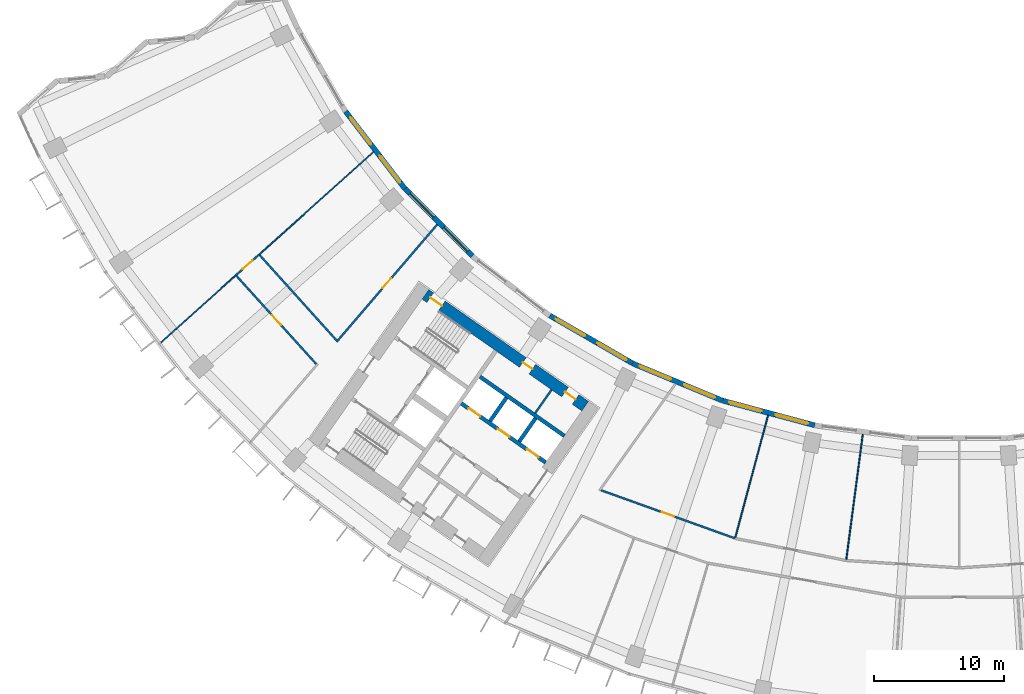
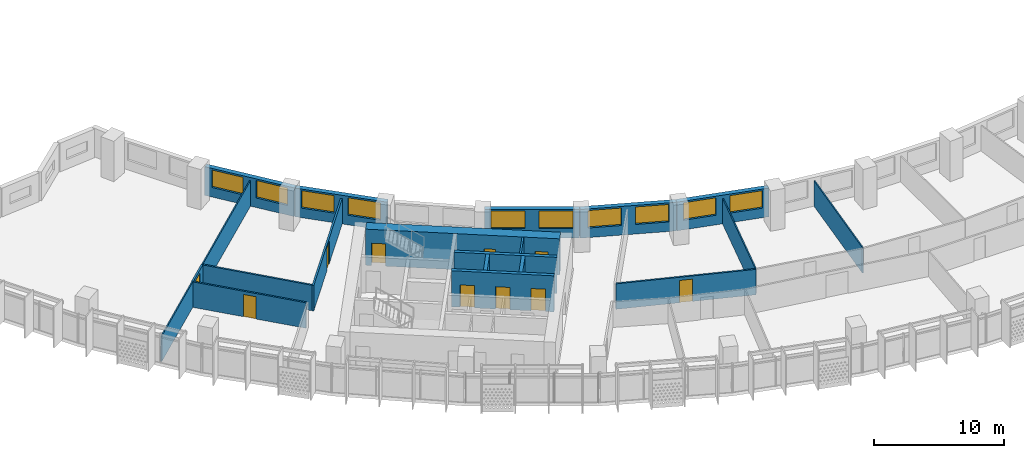
# One storey, part 4 of 28: 20 walls, 10 doors, 10 windows, 20 openings.
"""IFC4 building model written with IfcOpenShell, lengths in metres."""

from ifc_helpers import new_model, si_unit, direction, frame, frame_2d, origin, place, context, subcontext, project, spatial, rectangle, extrude, material, layer, layer_set, type_object, element, fill, save


model = new_model("IFC4")

# Units and contexts
model_context = context("Model", 3, precision=1e-05, world=origin(), true_north=direction((0.0, 1.0)))
body_context = subcontext(model_context, "Body", "Model", "MODEL_VIEW")
ifc_project = project(units=[si_unit("LENGTHUNIT", "METRE"), si_unit("AREAUNIT", "SQUARE_METRE"), si_unit("VOLUMEUNIT", "CUBIC_METRE"), si_unit("PLANEANGLEUNIT", "RADIAN"), si_unit("MASSUNIT", "GRAM", prefix="KILO")], contexts=[model_context])

# Site, building, storey
site_placement = place(None, origin())
site = spatial("IfcSite", under=ifc_project, at=site_placement, CompositionType="ELEMENT")
building_placement = place(site_placement, origin())
building = spatial("IfcBuilding", under=site, at=building_placement, Name="Qamariyya Broadcast Tower", CompositionType="ELEMENT")
storey_placement = place(building_placement, frame((0.0, 0.0, 140.5)))
storey = spatial("IfcBuildingStorey", under=building, at=storey_placement, Name="L32", CompositionType="ELEMENT", Elevation=140.5)

# Wall, openings, doors
ifc_material_1 = material(Name="Concrete C70/85", Category="concrete")
ifc_layer_1 = layer(ifc_material_1, 0.89990234375)
ifc_layer_set_1 = layer_set([ifc_layer_1], Name="Core wall 900 mm Concrete C70/85")
wall_type_1 = type_object("IfcWallType", Name="Core wall 900 mm Concrete C70/85", PredefinedType="SHEAR", material=ifc_layer_set_1)
wall_1_placement = place(storey_placement, frame((-28.8544921875, -54.32421875, 0.0), z_axis=(0.0, 0.0, 1.0), x_axis=(-0.819145767589, 0.573585400304, 0.0)))
wall_1 = element("IfcWall", 1, at=wall_1_placement, inside=storey, type_object=wall_type_1, Name="k-W-L32-WI", PredefinedType="SHEAR", context=body_context, shape_type="SweptSolid", body=[
    extrude(rectangle(XDim=15.04541015625, YDim=0.89990234375, at=frame_2d((7.522705078125, 0.0))), origin(), (0.0, 0.0, 1.0), 3.39990234375),
])
opening_1_placement = place(wall_1_placement, frame((0.89990234375, 0.0, 0.0)))
opening_1 = element("IfcOpeningElement", 2, at=opening_1_placement, cuts=wall_1, Name="Opening KD7-W1", PredefinedType="OPENING", context=body_context, shape_type="SweptSolid", body=[
    extrude(rectangle(XDim=1.0, YDim=2.10009765625, at=frame_2d((0.5, 1.050048828125))), frame((0.0, 0.4599609375, 0.0), z_axis=(0.0, -1.0, 0.0), x_axis=(1.0, 0.0, 0.0)), (0.0, 0.0, 1.0), 0.919921875),
])
opening_2_placement = place(wall_1_placement, frame((4.97509765625, 0.0, 0.0)))
opening_2 = element("IfcOpeningElement", 3, at=opening_2_placement, cuts=wall_1, Name="Opening KD5-W1", PredefinedType="OPENING", context=body_context, shape_type="SweptSolid", body=[
    extrude(rectangle(XDim=0.89990234375, YDim=2.10009765625, at=frame_2d((0.449951171875, 1.050048828125))), frame((0.0, 0.4599609375, 0.0), z_axis=(0.0, -1.0, 0.0), x_axis=(1.0, 0.0, 0.0)), (0.0, 0.0, 1.0), 0.919921875),
])
opening_3_placement = place(wall_1_placement, frame((13.495361328125, 0.0, 0.0)))
opening_3 = element("IfcOpeningElement", 4, at=opening_3_placement, cuts=wall_1, Name="Opening KD1-W1", PredefinedType="OPENING", context=body_context, shape_type="SweptSolid", body=[
    extrude(rectangle(XDim=1.10009765625, YDim=2.10009765625, at=frame_2d((0.550048828125, 1.050048828125))), frame((0.0, 0.4599609375, 0.0), z_axis=(0.0, -1.0, 0.0), x_axis=(1.0, 0.0, 0.0)), (0.0, 0.0, 1.0), 0.919921875),
])
ifc_material_2 = material(Name="Steel fire-resisting door leaf", Category="steel")
door_type_1 = type_object("IfcDoorType", Name="Accessible toilet door KD7", OperationType="SINGLE_SWING_LEFT", PredefinedType="DOOR", material=ifc_material_2)
door_1_placement = place(opening_1_placement, origin())
door_1 = element("IfcDoor", 5, at=door_1_placement, inside=storey, type_object=door_type_1, Name="k-W-L32-WI-D8", OperationType="SINGLE_SWING_LEFT", OverallHeight=2.10009765625, OverallWidth=1.0, PredefinedType="DOOR", context=body_context, shape_type="SweptSolid", body=[
    extrude(rectangle(XDim=1.0, YDim=2.10009765625, at=frame_2d((0.5, 1.050048828125))), frame((0.0, 0.02490234375, 0.0), z_axis=(0.0, -1.0, 0.0), x_axis=(1.0, 0.0, 0.0)), (0.0, 0.0, 1.0), 0.050048828125),
])
fill(opening_1, door_1)
door_type_2 = type_object("IfcDoorType", Name="Stair door KD1", OperationType="SINGLE_SWING_LEFT", PredefinedType="DOOR", material=ifc_material_2)
door_2_placement = place(opening_3_placement, origin())
door_2 = element("IfcDoor", 6, at=door_2_placement, inside=storey, type_object=door_type_2, Name="k-W-L32-WI-D16", OperationType="SINGLE_SWING_RIGHT", OverallHeight=2.10009765625, OverallWidth=1.10009765625, PredefinedType="DOOR", context=body_context, shape_type="SweptSolid", body=[
    extrude(rectangle(XDim=1.10009765625, YDim=2.10009765625, at=frame_2d((0.550048828125, 1.050048828125))), frame((0.0, 0.02490234375, 0.0), z_axis=(0.0, -1.0, 0.0), x_axis=(1.0, 0.0, 0.0)), (0.0, 0.0, 1.0), 0.050048828125),
])
fill(opening_3, door_2)
door_type_3 = type_object("IfcDoorType", Name="Toilet door KD5", OperationType="SINGLE_SWING_LEFT", PredefinedType="DOOR", material=ifc_material_2)
door_3_placement = place(opening_2_placement, origin())
door_3 = element("IfcDoor", 7, at=door_3_placement, inside=storey, type_object=door_type_3, Name="k-W-L32-WI-D9", OperationType="SINGLE_SWING_RIGHT", OverallHeight=2.10009765625, OverallWidth=0.89990234375, PredefinedType="DOOR", context=body_context, shape_type="SweptSolid", body=[
    extrude(rectangle(XDim=0.89990234375, YDim=2.10009765625, at=frame_2d((0.449951171875, 1.050048828125))), frame((0.0, 0.02490234375, 0.0), z_axis=(0.0, -1.0, 0.0), x_axis=(1.0, 0.0, 0.0)), (0.0, 0.0, 1.0), 0.050048828125),
])
fill(opening_2, door_3)

# Wall, opening, door
ifc_material_3 = material(Name="Gypsum board partition")
ifc_layer_2 = layer(ifc_material_3, 0.14990234375)
ifc_layer_set_2 = layer_set([ifc_layer_2], Name="Corridor partition 150 EI 60")
wall_type_2 = type_object("IfcWallType", Name="Corridor partition 150 EI 60", PredefinedType="PARTITIONING", material=ifc_layer_set_2)
wall_2_placement = place(storey_placement, frame((-55.7978515625, -44.22705078125, 0.0), z_axis=(0.0, 0.0, 1.0), x_axis=(0.744539856865, 0.667578011576, 0.0)))
wall_2 = element("IfcWall", 8, at=wall_2_placement, inside=storey, type_object=wall_type_2, Name="Partition L32-002", PredefinedType="PARTITIONING", context=body_context, shape_type="SweptSolid", body=[
    extrude(rectangle(XDim=2.404541015625, YDim=0.14990234375, at=frame_2d((1.2021484375, 0.0))), origin(), (0.0, 0.0, 1.0), 2.39990234375),
])
opening_4_placement = place(wall_2_placement, frame((0.702392578125, 0.0, 0.0)))
opening_4 = element("IfcOpeningElement", 9, at=opening_4_placement, cuts=wall_2, Name="Opening L32-D16", PredefinedType="OPENING", context=body_context, shape_type="SweptSolid", body=[
    extrude(rectangle(XDim=1.0, YDim=2.10009765625, at=frame_2d((0.5, 1.050048828125))), frame((0.0, 0.0849609375, 0.0), z_axis=(0.0, -1.0, 0.0), x_axis=(1.0, 0.0, 0.0)), (0.0, 0.0, 1.0), 0.169921875),
])
ifc_material_4 = material(Name="Timber fire door leaf", Category="wood")
door_type_4 = type_object("IfcDoorType", Name="Fire door 1000 x 2100 FD60", OperationType="NOTDEFINED", PredefinedType="DOOR", material=ifc_material_4)
door_4_placement = place(opening_4_placement, origin())
door_4 = element("IfcDoor", 10, at=door_4_placement, inside=storey, type_object=door_type_4, Name="Door L32-D16", OperationType="SINGLE_SWING_RIGHT", OverallHeight=2.10009765625, OverallWidth=1.0, PredefinedType="DOOR", context=body_context, shape_type="SweptSolid", body=[
    extrude(rectangle(XDim=1.0, YDim=2.10009765625, at=frame_2d((0.5, 1.050048828125))), frame((0.0, 0.02490234375, 0.0), z_axis=(0.0, -1.0, 0.0), x_axis=(1.0, 0.0, 0.0)), (0.0, 0.0, 1.0), 0.050048828125),
])
fill(opening_4, door_4)

wall_3_placement = place(storey_placement, frame((-49.597900390625, -51.076171875, 0.0), z_axis=(0.0, 0.0, 1.0), x_axis=(-0.671105149511, 0.741362177549, 0.0)))
wall_3 = element("IfcWall", 11, at=wall_3_placement, inside=storey, type_object=wall_type_2, Name="Partition L32-004", PredefinedType="PARTITIONING", context=body_context, shape_type="SweptSolid", body=[
    extrude(rectangle(XDim=9.16357421875, YDim=0.14990234375, at=frame_2d((4.581787109375, 0.0))), origin(), (0.0, 0.0, 1.0), 2.39990234375),
])
opening_5_placement = place(wall_3_placement, frame((4.081787109375, 0.0, 0.0)))
opening_5 = element("IfcOpeningElement", 12, at=opening_5_placement, cuts=wall_3, Name="Opening L32-D15", PredefinedType="OPENING", context=body_context, shape_type="SweptSolid", body=[
    extrude(rectangle(XDim=1.0, YDim=2.10009765625, at=frame_2d((0.5, 1.050048828125))), frame((0.0, 0.0849609375, 0.0), z_axis=(0.0, -1.0, 0.0), x_axis=(1.0, 0.0, 0.0)), (0.0, 0.0, 1.0), 0.169921875),
])
door_5_placement = place(opening_5_placement, origin())
door_5 = element("IfcDoor", 13, at=door_5_placement, inside=storey, type_object=door_type_4, Name="Door L32-D15", OperationType="SINGLE_SWING_RIGHT", OverallHeight=2.10009765625, OverallWidth=1.0, PredefinedType="DOOR", context=body_context, shape_type="SweptSolid", body=[
    extrude(rectangle(XDim=1.0, YDim=2.10009765625, at=frame_2d((0.5, 1.050048828125))), frame((0.0, 0.02490234375, 0.0), z_axis=(0.0, -1.0, 0.0), x_axis=(1.0, 0.0, 0.0)), (0.0, 0.0, 1.0), 0.050048828125),
])
fill(opening_5, door_5)

# Wall
wall_4_placement = place(storey_placement, frame((-48.032470703125, -49.2509765625, 0.0), z_axis=(0.0, 0.0, 1.0), x_axis=(-0.669505645027, 0.742806967709, 0.0)))
element("IfcWall", 14, at=wall_4_placement, inside=storey, type_object=wall_type_2, Name="Partition L32-006", PredefinedType="PARTITIONING", context=body_context, shape_type="SweptSolid", body=[
    extrude(rectangle(XDim=8.849609375, YDim=0.14990234375, at=frame_2d((4.4248046875, 0.0))), origin(), (0.0, 0.0, 1.0), 2.39990234375),
])

# Wall, opening, door
wall_5_placement = place(storey_placement, frame((-48.031005859375, -49.363525390625, 0.0), z_axis=(0.0, 0.0, 1.0), x_axis=(0.650981860867, 0.759093285982, 0.0)))
wall_5 = element("IfcWall", 15, at=wall_5_placement, inside=storey, type_object=wall_type_2, Name="Partition L32-007", PredefinedType="PARTITIONING", context=body_context, shape_type="SweptSolid", body=[
    extrude(rectangle(XDim=11.92578125, YDim=0.14990234375, at=frame_2d((5.962890625, 0.0))), origin(), (0.0, 0.0, 1.0), 2.39990234375),
])
opening_6_placement = place(wall_5_placement, frame((5.462890625, 0.0, 0.0)))
opening_6 = element("IfcOpeningElement", 16, at=opening_6_placement, cuts=wall_5, Name="Opening L32-D14", PredefinedType="OPENING", context=body_context, shape_type="SweptSolid", body=[
    extrude(rectangle(XDim=1.0, YDim=2.10009765625, at=frame_2d((0.5, 1.050048828125))), frame((0.0, 0.0849609375, 0.0), z_axis=(0.0, -1.0, 0.0), x_axis=(1.0, 0.0, 0.0)), (0.0, 0.0, 1.0), 0.169921875),
])
door_6_placement = place(opening_6_placement, origin())
door_6 = element("IfcDoor", 17, at=door_6_placement, inside=storey, type_object=door_type_4, Name="Door L32-D14", OperationType="SINGLE_SWING_RIGHT", OverallHeight=2.10009765625, OverallWidth=1.0, PredefinedType="DOOR", context=body_context, shape_type="SweptSolid", body=[
    extrude(rectangle(XDim=1.0, YDim=2.10009765625, at=frame_2d((0.5, 1.050048828125))), frame((0.0, 0.02490234375, 0.0), z_axis=(0.0, -1.0, 0.0), x_axis=(1.0, 0.0, 0.0)), (0.0, 0.0, 1.0), 0.050048828125),
])
fill(opening_6, door_6)

wall_6_placement = place(storey_placement, frame((-27.64013671875, -60.806640625, 0.0), z_axis=(0.0, 0.0, 1.0), x_axis=(0.941150861554, -0.337986768669, 0.0)))
wall_6 = element("IfcWall", 18, at=wall_6_placement, inside=storey, type_object=wall_type_2, Name="Partition L32-011", PredefinedType="PARTITIONING", context=body_context, shape_type="SweptSolid", body=[
    extrude(rectangle(XDim=10.998291015625, YDim=0.14990234375, at=frame_2d((5.4990234375, 0.0))), origin(), (0.0, 0.0, 1.0), 2.39990234375),
])
opening_7_placement = place(wall_6_placement, frame((4.9990234375, 0.0, 0.0)))
opening_7 = element("IfcOpeningElement", 19, at=opening_7_placement, cuts=wall_6, Name="Opening L32-D08", PredefinedType="OPENING", context=body_context, shape_type="SweptSolid", body=[
    extrude(rectangle(XDim=1.0, YDim=2.10009765625, at=frame_2d((0.5, 1.050048828125))), frame((0.0, 0.0849609375, 0.0), z_axis=(0.0, -1.0, 0.0), x_axis=(1.0, 0.0, 0.0)), (0.0, 0.0, 1.0), 0.169921875),
])
door_7_placement = place(opening_7_placement, origin())
door_7 = element("IfcDoor", 20, at=door_7_placement, inside=storey, type_object=door_type_4, Name="Door L32-D08", OperationType="SINGLE_SWING_RIGHT", OverallHeight=2.10009765625, OverallWidth=1.0, PredefinedType="DOOR", context=body_context, shape_type="SweptSolid", body=[
    extrude(rectangle(XDim=1.0, YDim=2.10009765625, at=frame_2d((0.5, 1.050048828125))), frame((0.0, 0.02490234375, 0.0), z_axis=(0.0, -1.0, 0.0), x_axis=(1.0, 0.0, 0.0)), (0.0, 0.0, 1.0), 0.050048828125),
])
fill(opening_7, door_7)

# Wall
ifc_material_5 = material(Name="Gypsum board partition on steel studs", Category="steel")
ifc_layer_3 = layer(ifc_material_5, 0.14990234375)
ifc_layer_set_3 = layer_set([ifc_layer_3], Name="Gypsum board partition 150 mm")
wall_type_3 = type_object("IfcWallType", Name="Gypsum board partition 150 mm", PredefinedType="PARTITIONING", material=ifc_layer_set_3)
wall_7_placement = place(storey_placement, frame((-32.709228515625, -54.860107421875, 0.0), z_axis=(0.0, 0.0, 1.0), x_axis=(0.573633636671, 0.819111989218, 0.0)))
element("IfcWall", 21, at=wall_7_placement, inside=storey, type_object=wall_type_3, Name="k-W-L32-NP285", PredefinedType="PARTITIONING", context=body_context, shape_type="SweptSolid", body=[
    extrude(rectangle(XDim=2.199951171875, YDim=0.14990234375, at=frame_2d((1.10009765625, 0.0))), origin(), (0.0, 0.0, 1.0), 3.39990234375),
])

# Wall, openings, doors
ifc_material_6 = material(Name="Concrete C60/75", Category="concrete")
ifc_layer_4 = layer(ifc_material_6, 0.300048828125)
ifc_layer_set_4 = layer_set([ifc_layer_4], Name="Lift shaft wall 300 mm Concrete C60/75")
wall_type_4 = type_object("IfcWallType", Name="Lift shaft wall 300 mm Concrete C60/75", PredefinedType="SOLIDWALL", material=ifc_layer_set_4)
wall_8_placement = place(storey_placement, frame((-31.89453125, -58.66552734375, 0.0), z_axis=(0.0, 0.0, 1.0), x_axis=(-0.819166993208, 0.573555086491, 0.0)))
wall_8 = element("IfcWall", 22, at=wall_8_placement, inside=storey, type_object=wall_type_4, Name="k-W-L32-NF0", PredefinedType="SOLIDWALL", context=body_context, shape_type="SweptSolid", body=[
    extrude(rectangle(XDim=7.9501953125, YDim=0.300048828125, at=frame_2d((3.97509765625, 0.0))), origin(), (0.0, 0.0, 1.0), 3.39990234375),
])
opening_8_placement = place(wall_8_placement, frame((0.675048828125, 0.0, 0.0)))
opening_8 = element("IfcOpeningElement", 23, at=opening_8_placement, cuts=wall_8, Name="Opening LD", PredefinedType="OPENING", context=body_context, shape_type="SweptSolid", body=[
    extrude(rectangle(XDim=1.10009765625, YDim=2.10009765625, at=frame_2d((0.550048828125, 1.050048828125))), frame((0.0, 0.159912109375, 0.0), z_axis=(0.0, -1.0, 0.0), x_axis=(1.0, 0.0, 0.0)), (0.0, 0.0, 1.0), 0.320068359375),
])
opening_9_placement = place(wall_8_placement, frame((3.425048828125, 0.0, 0.0)))
opening_9 = element("IfcOpeningElement", 24, at=opening_9_placement, cuts=wall_8, Name="Opening LD", PredefinedType="OPENING", context=body_context, shape_type="SweptSolid", body=[
    extrude(rectangle(XDim=1.10009765625, YDim=2.10009765625, at=frame_2d((0.550048828125, 1.050048828125))), frame((0.0, 0.159912109375, 0.0), z_axis=(0.0, -1.0, 0.0), x_axis=(1.0, 0.0, 0.0)), (0.0, 0.0, 1.0), 0.320068359375),
])
opening_10_placement = place(wall_8_placement, frame((6.175048828125, 0.0, 0.0)))
opening_10 = element("IfcOpeningElement", 25, at=opening_10_placement, cuts=wall_8, Name="Opening LD", PredefinedType="OPENING", context=body_context, shape_type="SweptSolid", body=[
    extrude(rectangle(XDim=1.10009765625, YDim=2.10009765625, at=frame_2d((0.550048828125, 1.050048828125))), frame((0.0, 0.159912109375, 0.0), z_axis=(0.0, -1.0, 0.0), x_axis=(1.0, 0.0, 0.0)), (0.0, 0.0, 1.0), 0.320068359375),
])
door_type_5 = type_object("IfcDoorType", Name="Lift landing door LD", OperationType="DOUBLE_DOOR_SLIDING", PredefinedType="DOOR", material=ifc_material_2)
door_8_placement = place(opening_8_placement, origin())
door_8 = element("IfcDoor", 26, at=door_8_placement, inside=storey, type_object=door_type_5, Name="k-W-L32-NF0-D2", OperationType="DOUBLE_DOOR_SLIDING", OverallHeight=2.10009765625, OverallWidth=1.10009765625, PredefinedType="DOOR", context=body_context, shape_type="SweptSolid", body=[
    extrude(rectangle(XDim=1.10009765625, YDim=2.10009765625, at=frame_2d((0.550048828125, 1.050048828125))), frame((0.0, 0.02490234375, 0.0), z_axis=(0.0, -1.0, 0.0), x_axis=(1.0, 0.0, 0.0)), (0.0, 0.0, 1.0), 0.050048828125),
])
fill(opening_8, door_8)
door_9_placement = place(opening_9_placement, origin())
door_9 = element("IfcDoor", 27, at=door_9_placement, inside=storey, type_object=door_type_5, Name="k-W-L32-NF0-D3", OperationType="DOUBLE_DOOR_SLIDING", OverallHeight=2.10009765625, OverallWidth=1.10009765625, PredefinedType="DOOR", context=body_context, shape_type="SweptSolid", body=[
    extrude(rectangle(XDim=1.10009765625, YDim=2.10009765625, at=frame_2d((0.550048828125, 1.050048828125))), frame((0.0, 0.02490234375, 0.0), z_axis=(0.0, -1.0, 0.0), x_axis=(1.0, 0.0, 0.0)), (0.0, 0.0, 1.0), 0.050048828125),
])
fill(opening_9, door_9)
door_10_placement = place(opening_10_placement, origin())
door_10 = element("IfcDoor", 28, at=door_10_placement, inside=storey, type_object=door_type_5, Name="k-W-L32-NF0-D4", OperationType="DOUBLE_DOOR_SLIDING", OverallHeight=2.10009765625, OverallWidth=1.10009765625, PredefinedType="DOOR", context=body_context, shape_type="SweptSolid", body=[
    extrude(rectangle(XDim=1.10009765625, YDim=2.10009765625, at=frame_2d((0.550048828125, 1.050048828125))), frame((0.0, 0.02490234375, 0.0), z_axis=(0.0, -1.0, 0.0), x_axis=(1.0, 0.0, 0.0)), (0.0, 0.0, 1.0), 0.050048828125),
])
fill(opening_10, door_10)

# Walls
wall_9_placement = place(storey_placement, frame((-30.460693359375, -56.61767578125, 0.0), z_axis=(0.0, 0.0, 1.0), x_axis=(-0.819142461705, 0.573590121456, 0.0)))
element("IfcWall", 29, at=wall_9_placement, inside=storey, type_object=wall_type_4, Name="k-W-L32-NB0", PredefinedType="SOLIDWALL", context=body_context, shape_type="SweptSolid", body=[
    extrude(rectangle(XDim=7.949951171875, YDim=0.300048828125, at=frame_2d((3.97509765625, 0.0))), origin(), (0.0, 0.0, 1.0), 3.39990234375),
])
wall_10_placement = place(storey_placement, frame((-33.9384765625, -57.051513671875, 0.0), z_axis=(0.0, 0.0, 1.0), x_axis=(0.573581496053, 0.819148501424, 0.0)))
element("IfcWall", 30, at=wall_10_placement, inside=storey, type_object=wall_type_4, Name="k-W-L32-ND0", PredefinedType="SOLIDWALL", context=body_context, shape_type="SweptSolid", body=[
    extrude(rectangle(XDim=2.2001953125, YDim=0.300048828125, at=frame_2d((1.10009765625, 0.0))), origin(), (0.0, 0.0, 1.0), 3.39990234375),
])
wall_11_placement = place(storey_placement, frame((-36.19091796875, -55.47412109375, 0.0), z_axis=(0.0, 0.0, 1.0), x_axis=(0.573507030513, 0.819200638399, 0.0)))
element("IfcWall", 31, at=wall_11_placement, inside=storey, type_object=wall_type_4, Name="k-W-L32-ND1", PredefinedType="SOLIDWALL", context=body_context, shape_type="SweptSolid", body=[
    extrude(rectangle(XDim=2.199951171875, YDim=0.300048828125, at=frame_2d((1.10009765625, 0.0))), origin(), (0.0, 0.0, 1.0), 3.39990234375),
])
ifc_layer_5 = layer(ifc_material_3, 0.10009765625)
ifc_layer_set_5 = layer_set([ifc_layer_5], Name="Partition 100")
wall_type_5 = type_object("IfcWallType", Name="Partition 100", PredefinedType="PARTITIONING", material=ifc_layer_set_5)
wall_12_placement = place(storey_placement, frame((-61.576904296875, -49.409423828125, 0.0), z_axis=(0.0, 0.0, 1.0), x_axis=(0.744495585519, 0.667627383457, 0.0)))
element("IfcWall", 32, at=wall_12_placement, inside=storey, type_object=wall_type_5, Name="Partition L32-001", PredefinedType="PARTITIONING", context=body_context, shape_type="SweptSolid", body=[
    extrude(rectangle(XDim=7.762451171875, YDim=0.10009765625, at=frame_2d((3.88134765625, 0.0))), origin(), (0.0, 0.0, 1.0), 2.39990234375),
])
wall_13_placement = place(storey_placement, frame((-54.007568359375, -42.621826171875, 0.0), z_axis=(0.0, 0.0, 1.0), x_axis=(0.744502704069, 0.667619445219, 0.0)))
element("IfcWall", 33, at=wall_13_placement, inside=storey, type_object=wall_type_5, Name="Partition L32-003", PredefinedType="PARTITIONING", context=body_context, shape_type="SweptSolid", body=[
    extrude(rectangle(XDim=11.850830078125, YDim=0.10009765625, at=frame_2d((5.92529296875, 0.0))), origin(), (0.0, 0.0, 1.0), 2.39990234375),
])
for number, where, z_axis, x_axis, name in (
    (34, (-14.7470703125, -55.037109375, 0.0), (0.0, 0.0, 1.0), (-0.258833329344, -0.965921998725, 0.0), "Partition L32-017"),
    (35, (-7.437255859375, -56.4912109375, 0.0), (0.0, 0.0, 1.0), (-0.13053421433, -0.99144380521, 0.0), "Partition L32-019"),
):
    element("IfcWall", number, at=place(storey_placement, frame(where, z_axis=z_axis, x_axis=x_axis)), inside=storey, type_object=wall_type_5, Name=name, PredefinedType="PARTITIONING", context=body_context, shape_type="SweptSolid", body=[
        extrude(rectangle(XDim=9.746337890625, YDim=0.10009765625, at=frame_2d((4.873046875, 0.0))), origin(), (0.0, 0.0, 1.0), 2.39990234375),
    ])

# Wall, openings, windows
ifc_material_7 = material(Name="Terracotta", Category="masonry")
ifc_layer_6 = layer(ifc_material_7, 0.39990234375)
ifc_layer_set_6 = layer_set([ifc_layer_6], Name="Terracotta clad wall 400")
wall_type_6 = type_object("IfcWallType", Name="Terracotta clad wall 400", PredefinedType="SOLIDWALL", material=ifc_layer_set_6)
wall_14_placement = place(storey_placement, frame((-42.764892578125, -37.536865234375, 0.0), z_axis=(0.0, 0.0, 1.0), x_axis=(-0.608748204711, 0.793363487476, 0.0)))
wall_14 = element("IfcWall", 36, at=wall_14_placement, inside=storey, type_object=wall_type_6, Name="e-wl-L32-in20", PredefinedType="SOLIDWALL", context=body_context, shape_type="SweptSolid", body=[
    extrude(rectangle(XDim=7.492919921875, YDim=0.39990234375, at=frame_2d((3.74658203125, 0.0))), origin(), (0.0, 0.0, 1.0), 2.699951171875),
])
opening_11_placement = place(wall_14_placement, frame((4.300537109375, 0.0, 0.89990234375)))
opening_11 = element("IfcOpeningElement", 37, at=opening_11_placement, cuts=wall_14, Name="Opening W1", PredefinedType="OPENING", context=body_context, shape_type="SweptSolid", body=[
    extrude(rectangle(XDim=2.60009765625, YDim=1.64990234375, at=frame_2d((1.300048828125, 0.824951171875))), frame((0.0, 0.2099609375, 0.0), z_axis=(0.0, -1.0, 0.0), x_axis=(1.0, 0.0, 0.0)), (0.0, 0.0, 1.0), 0.419921875),
])
opening_12_placement = place(wall_14_placement, frame((0.59228515625, 0.0, 0.89990234375)))
opening_12 = element("IfcOpeningElement", 38, at=opening_12_placement, cuts=wall_14, Name="Opening W1", PredefinedType="OPENING", context=body_context, shape_type="SweptSolid", body=[
    extrude(rectangle(XDim=2.60009765625, YDim=1.64990234375, at=frame_2d((1.300048828125, 0.824951171875))), frame((0.0, 0.2099609375, 0.0), z_axis=(0.0, -1.0, 0.0), x_axis=(1.0, 0.0, 0.0)), (0.0, 0.0, 1.0), 0.419921875),
])
ifc_material_8 = material(Name="Clear low-e double glazed unit in aluminium frame", Category="aluminium")
window_type = type_object("IfcWindowType", Name="Ribbon window 2600 x 1650", PartitioningType="SINGLE_PANEL", PredefinedType="WINDOW", material=ifc_material_8)
window_1_placement = place(opening_11_placement, origin())
window_1 = element("IfcWindow", 39, at=window_1_placement, inside=storey, type_object=window_type, Name="e-w-L32-in02-0", OverallHeight=1.64990234375, OverallWidth=2.60009765625, PartitioningType="SINGLE_PANEL", PredefinedType="WINDOW", context=body_context, shape_type="SweptSolid", body=[
    extrude(rectangle(XDim=2.60009765625, YDim=1.64990234375, at=frame_2d((1.300048828125, 0.824951171875))), frame((0.0, 0.030029296875, 0.0), z_axis=(0.0, -1.0, 0.0), x_axis=(1.0, 0.0, 0.0)), (0.0, 0.0, 1.0), 0.06005859375),
])
fill(opening_11, window_1)
window_2_placement = place(opening_12_placement, origin())
window_2 = element("IfcWindow", 40, at=window_2_placement, inside=storey, type_object=window_type, Name="e-w-L32-in02-1", OverallHeight=1.64990234375, OverallWidth=2.60009765625, PartitioningType="SINGLE_PANEL", PredefinedType="WINDOW", context=body_context, shape_type="SweptSolid", body=[
    extrude(rectangle(XDim=2.60009765625, YDim=1.64990234375, at=frame_2d((1.300048828125, 0.824951171875))), frame((0.0, 0.030029296875, 0.0), z_axis=(0.0, -1.0, 0.0), x_axis=(1.0, 0.0, 0.0)), (0.0, 0.0, 1.0), 0.06005859375),
])
fill(opening_12, window_2)

wall_15_placement = place(storey_placement, frame((-37.552978515625, -42.744140625, 0.0), z_axis=(0.0, 0.0, 1.0), x_axis=(-0.707106781187, 0.707106781187, 0.0)))
wall_15 = element("IfcWall", 41, at=wall_15_placement, inside=storey, type_object=wall_type_6, Name="e-wl-L32-in30", PredefinedType="SOLIDWALL", context=body_context, shape_type="SweptSolid", body=[
    extrude(rectangle(XDim=7.34130859375, YDim=0.39990234375, at=frame_2d((3.670654296875, 0.0))), origin(), (0.0, 0.0, 1.0), 2.699951171875),
])
opening_13_placement = place(wall_15_placement, frame((4.224853515625, 0.0, 0.89990234375)))
opening_13 = element("IfcOpeningElement", 42, at=opening_13_placement, cuts=wall_15, Name="Opening W1", PredefinedType="OPENING", context=body_context, shape_type="SweptSolid", body=[
    extrude(rectangle(XDim=2.60009765625, YDim=1.64990234375, at=frame_2d((1.300048828125, 0.824951171875))), frame((0.0, 0.2099609375, 0.0), z_axis=(0.0, -1.0, 0.0), x_axis=(1.0, 0.0, 0.0)), (0.0, 0.0, 1.0), 0.419921875),
])
opening_14_placement = place(wall_15_placement, frame((0.5166015625, 0.0, 0.89990234375)))
opening_14 = element("IfcOpeningElement", 43, at=opening_14_placement, cuts=wall_15, Name="Opening W1", PredefinedType="OPENING", context=body_context, shape_type="SweptSolid", body=[
    extrude(rectangle(XDim=2.60009765625, YDim=1.64990234375, at=frame_2d((1.300048828125, 0.824951171875))), frame((0.0, 0.2099609375, 0.0), z_axis=(0.0, -1.0, 0.0), x_axis=(1.0, 0.0, 0.0)), (0.0, 0.0, 1.0), 0.419921875),
])
window_3_placement = place(opening_13_placement, origin())
window_3 = element("IfcWindow", 44, at=window_3_placement, inside=storey, type_object=window_type, Name="e-w-L32-in03-0", OverallHeight=1.64990234375, OverallWidth=2.60009765625, PartitioningType="SINGLE_PANEL", PredefinedType="WINDOW", context=body_context, shape_type="SweptSolid", body=[
    extrude(rectangle(XDim=2.60009765625, YDim=1.64990234375, at=frame_2d((1.300048828125, 0.824951171875))), frame((0.0, 0.030029296875, 0.0), z_axis=(0.0, -1.0, 0.0), x_axis=(1.0, 0.0, 0.0)), (0.0, 0.0, 1.0), 0.06005859375),
])
fill(opening_13, window_3)
window_4_placement = place(opening_14_placement, origin())
window_4 = element("IfcWindow", 45, at=window_4_placement, inside=storey, type_object=window_type, Name="e-w-L32-in03-1", OverallHeight=1.64990234375, OverallWidth=2.60009765625, PartitioningType="SINGLE_PANEL", PredefinedType="WINDOW", context=body_context, shape_type="SweptSolid", body=[
    extrude(rectangle(XDim=2.60009765625, YDim=1.64990234375, at=frame_2d((1.300048828125, 0.824951171875))), frame((0.0, 0.030029296875, 0.0), z_axis=(0.0, -1.0, 0.0), x_axis=(1.0, 0.0, 0.0)), (0.0, 0.0, 1.0), 0.06005859375),
])
fill(opening_14, window_4)

wall_16_placement = place(storey_placement, frame((-25.21044921875, -51.007080078125, 0.0), z_axis=(0.0, 0.0, 1.0), x_axis=(-0.866030525931, 0.499991128077, 0.0)))
wall_16 = element("IfcWall", 46, at=wall_16_placement, inside=storey, type_object=wall_type_6, Name="e-wl-L32-in50", PredefinedType="SOLIDWALL", context=body_context, shape_type="SweptSolid", body=[
    extrude(rectangle(XDim=7.341552734375, YDim=0.39990234375, at=frame_2d((3.6708984375, 0.0))), origin(), (0.0, 0.0, 1.0), 2.699951171875),
])
opening_15_placement = place(wall_16_placement, frame((4.224853515625, 0.0, 0.89990234375)))
opening_15 = element("IfcOpeningElement", 47, at=opening_15_placement, cuts=wall_16, Name="Opening W1", PredefinedType="OPENING", context=body_context, shape_type="SweptSolid", body=[
    extrude(rectangle(XDim=2.60009765625, YDim=1.64990234375, at=frame_2d((1.300048828125, 0.824951171875))), frame((0.0, 0.2099609375, 0.0), z_axis=(0.0, -1.0, 0.0), x_axis=(1.0, 0.0, 0.0)), (0.0, 0.0, 1.0), 0.419921875),
])
opening_16_placement = place(wall_16_placement, frame((0.5166015625, 0.0, 0.89990234375)))
opening_16 = element("IfcOpeningElement", 48, at=opening_16_placement, cuts=wall_16, Name="Opening W1", PredefinedType="OPENING", context=body_context, shape_type="SweptSolid", body=[
    extrude(rectangle(XDim=2.60009765625, YDim=1.64990234375, at=frame_2d((1.300048828125, 0.824951171875))), frame((0.0, 0.2099609375, 0.0), z_axis=(0.0, -1.0, 0.0), x_axis=(1.0, 0.0, 0.0)), (0.0, 0.0, 1.0), 0.419921875),
])
window_5_placement = place(opening_15_placement, origin())
window_5 = element("IfcWindow", 49, at=window_5_placement, inside=storey, type_object=window_type, Name="e-w-L32-in05-0", OverallHeight=1.64990234375, OverallWidth=2.60009765625, PartitioningType="SINGLE_PANEL", PredefinedType="WINDOW", context=body_context, shape_type="SweptSolid", body=[
    extrude(rectangle(XDim=2.60009765625, YDim=1.64990234375, at=frame_2d((1.300048828125, 0.824951171875))), frame((0.0, 0.030029296875, 0.0), z_axis=(0.0, -1.0, 0.0), x_axis=(1.0, 0.0, 0.0)), (0.0, 0.0, 1.0), 0.06005859375),
])
fill(opening_15, window_5)
window_6_placement = place(opening_16_placement, origin())
window_6 = element("IfcWindow", 50, at=window_6_placement, inside=storey, type_object=window_type, Name="e-w-L32-in05-1", OverallHeight=1.64990234375, OverallWidth=2.60009765625, PartitioningType="SINGLE_PANEL", PredefinedType="WINDOW", context=body_context, shape_type="SweptSolid", body=[
    extrude(rectangle(XDim=2.60009765625, YDim=1.64990234375, at=frame_2d((1.300048828125, 0.824951171875))), frame((0.0, 0.030029296875, 0.0), z_axis=(0.0, -1.0, 0.0), x_axis=(1.0, 0.0, 0.0)), (0.0, 0.0, 1.0), 0.06005859375),
])
fill(opening_16, window_6)

wall_17_placement = place(storey_placement, frame((-18.266845703125, -53.890380859375, 0.0), z_axis=(0.0, 0.0, 1.0), x_axis=(-0.923879826967, 0.382682721486, 0.0)))
wall_17 = element("IfcWall", 51, at=wall_17_placement, inside=storey, type_object=wall_type_6, Name="e-wl-L32-in60", PredefinedType="SOLIDWALL", context=body_context, shape_type="SweptSolid", body=[
    extrude(rectangle(XDim=7.492919921875, YDim=0.39990234375, at=frame_2d((3.74658203125, 0.0))), origin(), (0.0, 0.0, 1.0), 2.699951171875),
])
opening_17_placement = place(wall_17_placement, frame((4.300537109375, 0.0, 0.89990234375)))
opening_17 = element("IfcOpeningElement", 52, at=opening_17_placement, cuts=wall_17, Name="Opening W1", PredefinedType="OPENING", context=body_context, shape_type="SweptSolid", body=[
    extrude(rectangle(XDim=2.60009765625, YDim=1.64990234375, at=frame_2d((1.300048828125, 0.824951171875))), frame((0.0, 0.2099609375, 0.0), z_axis=(0.0, -1.0, 0.0), x_axis=(1.0, 0.0, 0.0)), (0.0, 0.0, 1.0), 0.419921875),
])
opening_18_placement = place(wall_17_placement, frame((0.59228515625, 0.0, 0.89990234375)))
opening_18 = element("IfcOpeningElement", 53, at=opening_18_placement, cuts=wall_17, Name="Opening W1", PredefinedType="OPENING", context=body_context, shape_type="SweptSolid", body=[
    extrude(rectangle(XDim=2.60009765625, YDim=1.64990234375, at=frame_2d((1.300048828125, 0.824951171875))), frame((0.0, 0.2099609375, 0.0), z_axis=(0.0, -1.0, 0.0), x_axis=(1.0, 0.0, 0.0)), (0.0, 0.0, 1.0), 0.419921875),
])
window_7_placement = place(opening_17_placement, origin())
window_7 = element("IfcWindow", 54, at=window_7_placement, inside=storey, type_object=window_type, Name="e-w-L32-in06-0", OverallHeight=1.64990234375, OverallWidth=2.60009765625, PartitioningType="SINGLE_PANEL", PredefinedType="WINDOW", context=body_context, shape_type="SweptSolid", body=[
    extrude(rectangle(XDim=2.60009765625, YDim=1.64990234375, at=frame_2d((1.300048828125, 0.824951171875))), frame((0.0, 0.030029296875, 0.0), z_axis=(0.0, -1.0, 0.0), x_axis=(1.0, 0.0, 0.0)), (0.0, 0.0, 1.0), 0.06005859375),
])
fill(opening_17, window_7)
window_8_placement = place(opening_18_placement, origin())
window_8 = element("IfcWindow", 55, at=window_8_placement, inside=storey, type_object=window_type, Name="e-w-L32-in06-1", OverallHeight=1.64990234375, OverallWidth=2.60009765625, PartitioningType="SINGLE_PANEL", PredefinedType="WINDOW", context=body_context, shape_type="SweptSolid", body=[
    extrude(rectangle(XDim=2.60009765625, YDim=1.64990234375, at=frame_2d((1.300048828125, 0.824951171875))), frame((0.0, 0.030029296875, 0.0), z_axis=(0.0, -1.0, 0.0), x_axis=(1.0, 0.0, 0.0)), (0.0, 0.0, 1.0), 0.06005859375),
])
fill(opening_18, window_8)

wall_18_placement = place(storey_placement, frame((-11.149658203125, -55.7939453125, 0.0), z_axis=(0.0, 0.0, 1.0), x_axis=(-0.965924597867, 0.258823629594, 0.0)))
wall_18 = element("IfcWall", 56, at=wall_18_placement, inside=storey, type_object=wall_type_6, Name="e-wl-L32-in70", PredefinedType="SOLIDWALL", context=body_context, shape_type="SweptSolid", body=[
    extrude(rectangle(XDim=7.341552734375, YDim=0.39990234375, at=frame_2d((3.6708984375, 0.0))), origin(), (0.0, 0.0, 1.0), 2.699951171875),
])
opening_19_placement = place(wall_18_placement, frame((4.224853515625, 0.0, 0.89990234375)))
opening_19 = element("IfcOpeningElement", 57, at=opening_19_placement, cuts=wall_18, Name="Opening W1", PredefinedType="OPENING", context=body_context, shape_type="SweptSolid", body=[
    extrude(rectangle(XDim=2.60009765625, YDim=1.64990234375, at=frame_2d((1.300048828125, 0.824951171875))), frame((0.0, 0.2099609375, 0.0), z_axis=(0.0, -1.0, 0.0), x_axis=(1.0, 0.0, 0.0)), (0.0, 0.0, 1.0), 0.419921875),
])
opening_20_placement = place(wall_18_placement, frame((0.5166015625, 0.0, 0.89990234375)))
opening_20 = element("IfcOpeningElement", 58, at=opening_20_placement, cuts=wall_18, Name="Opening W1", PredefinedType="OPENING", context=body_context, shape_type="SweptSolid", body=[
    extrude(rectangle(XDim=2.60009765625, YDim=1.64990234375, at=frame_2d((1.300048828125, 0.824951171875))), frame((0.0, 0.2099609375, 0.0), z_axis=(0.0, -1.0, 0.0), x_axis=(1.0, 0.0, 0.0)), (0.0, 0.0, 1.0), 0.419921875),
])
window_9_placement = place(opening_19_placement, origin())
window_9 = element("IfcWindow", 59, at=window_9_placement, inside=storey, type_object=window_type, Name="e-w-L32-in07-0", OverallHeight=1.64990234375, OverallWidth=2.60009765625, PartitioningType="SINGLE_PANEL", PredefinedType="WINDOW", context=body_context, shape_type="SweptSolid", body=[
    extrude(rectangle(XDim=2.60009765625, YDim=1.64990234375, at=frame_2d((1.300048828125, 0.824951171875))), frame((0.0, 0.030029296875, 0.0), z_axis=(0.0, -1.0, 0.0), x_axis=(1.0, 0.0, 0.0)), (0.0, 0.0, 1.0), 0.06005859375),
])
fill(opening_19, window_9)
window_10_placement = place(opening_20_placement, origin())
window_10 = element("IfcWindow", 60, at=window_10_placement, inside=storey, type_object=window_type, Name="e-w-L32-in07-1", OverallHeight=1.64990234375, OverallWidth=2.60009765625, PartitioningType="SINGLE_PANEL", PredefinedType="WINDOW", context=body_context, shape_type="SweptSolid", body=[
    extrude(rectangle(XDim=2.60009765625, YDim=1.64990234375, at=frame_2d((1.300048828125, 0.824951171875))), frame((0.0, 0.030029296875, 0.0), z_axis=(0.0, -1.0, 0.0), x_axis=(1.0, 0.0, 0.0)), (0.0, 0.0, 1.0), 0.06005859375),
])
fill(opening_20, window_10)

save(model, "model.ifc")
